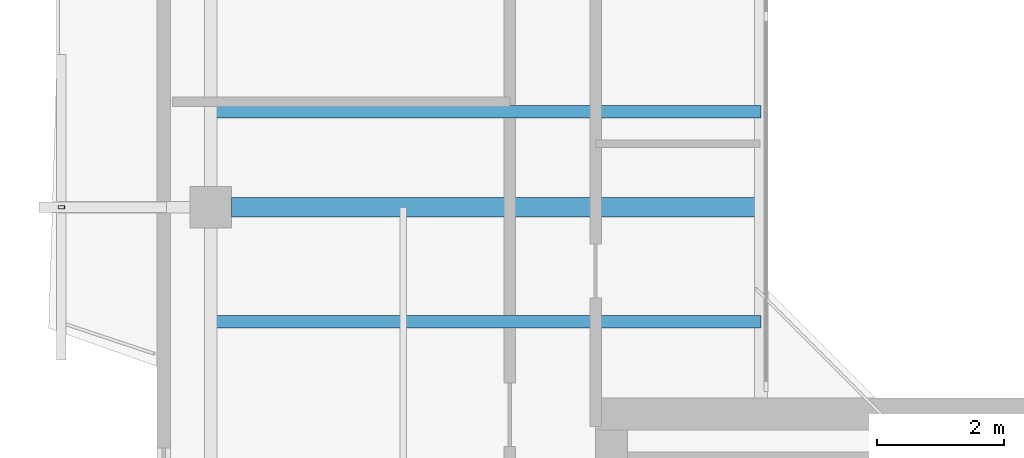
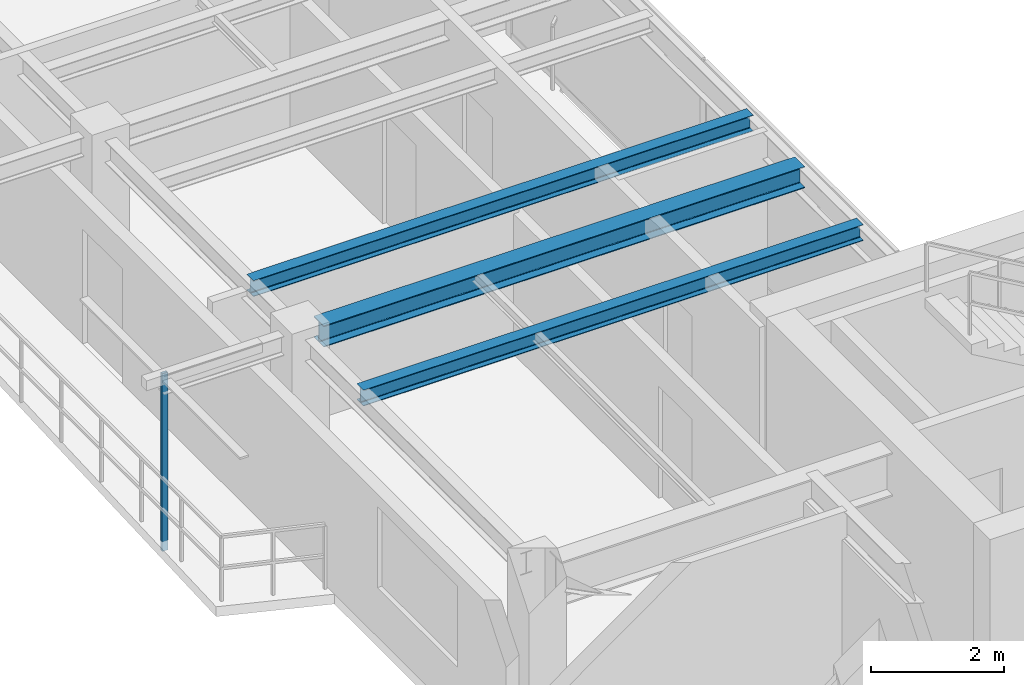
# One storey, part 2 of 14: 3 beams, 1 member.
"""IFC4 building model written with IfcOpenShell, lengths in metres."""

from ifc_helpers import new_model, si_unit, direction, frame, origin, origin_2d, place, context, subcontext, project, spatial, hollow_rectangle, i_section, extrude, source, transform, mapped, material, material_profile, profile_set, type_object, element, save


model = new_model("IFC4")

# Units and contexts
model_context = context("Model", 3, precision=1e-05, world=origin(), true_north=direction((0.0, 1.0)))
body_context = subcontext(model_context, "Body", "Model", "MODEL_VIEW")
ifc_project = project(units=[si_unit("LENGTHUNIT", "METRE"), si_unit("AREAUNIT", "SQUARE_METRE"), si_unit("VOLUMEUNIT", "CUBIC_METRE"), si_unit("PLANEANGLEUNIT", "RADIAN"), si_unit("MASSUNIT", "GRAM", prefix="KILO"), si_unit("THERMODYNAMICTEMPERATUREUNIT", "KELVIN"), si_unit("POWERUNIT", "WATT")], contexts=[model_context])

# Site, building, storey
site_placement = place(None, origin())
site = spatial("IfcSite", under=ifc_project, at=site_placement, CompositionType="ELEMENT")
building_placement = place(site_placement, origin())
building = spatial("IfcBuilding", under=site, at=building_placement, Name="Qiaomeng Ring Towers", CompositionType="ELEMENT")
storey_placement = place(building_placement, frame((0.0, 0.0, 243.75)))
storey = spatial("IfcBuildingStorey", under=building, at=storey_placement, Name="L71", CompositionType="ELEMENT", Elevation=243.75)

# Beams
ifc_material_1 = material(Name="Steel Q355B", Category="steel")
ifc_material_profile_1 = material_profile(ifc_material_1, i_section(OverallWidth=0.300048828125, OverallDepth=0.389892578125, WebThickness=0.010009765625, FlangeThickness=0.01611328125, FilletRadius=0.02197265625, at=origin_2d()), Name="HM 390x300x10x16")
ifc_profile_set_1 = profile_set([ifc_material_profile_1], Name="Steel Q355B")
beam_type_1 = type_object("IfcBeamType", Name="STR-BM-HM390", PredefinedType="BEAM", material=ifc_profile_set_1)
shared_shape_1 = source(origin(), body_context, "Body", "SweptSolid", [
    extrude(i_section(OverallWidth=0.300048828125, OverallDepth=0.389892578125, WebThickness=0.010009765625, FlangeThickness=0.01611328125, FilletRadius=0.02197265625, at=origin_2d()), origin(), (0.0, 0.0, 1.0), 8.325927734375),
])
beam_placement = place(storey_placement, frame((4.47412109375, 20.0, 2.875), z_axis=(1.0, 0.0, 0.0), x_axis=(0.0, 1.0, 0.0)))
element("IfcBeam", 1, at=beam_placement, inside=storey, type_object=beam_type_1, Name="L71 beam STR-BM-L71-T1-RAD-W2", PredefinedType="BEAM", context=body_context, shape_type="MappedRepresentation", body=[
    mapped(shared_shape_1, transform((0.0, 0.0, 0.0), x_axis=(1.0, 0.0, 0.0), y_axis=(0.0, 1.0, 0.0), z_axis=(0.0, 0.0, 1.0), scale=1.0)),
])
ifc_material_profile_2 = material_profile(ifc_material_1, i_section(OverallWidth=0.199951171875, OverallDepth=0.2939453125, WebThickness=0.008056640625, FlangeThickness=0.011962890625, FilletRadius=0.01806640625, at=origin_2d()), Name="HM 294x200x8x12")
ifc_profile_set_2 = profile_set([ifc_material_profile_2], Name="Steel Q355B")
beam_type_2 = type_object("IfcBeamType", Name="STR-BM-HM294", PredefinedType="JOIST", material=ifc_profile_set_2)
shared_shape_2 = source(origin(), body_context, "Body", "SweptSolid", [
    extrude(i_section(OverallWidth=0.199951171875, OverallDepth=0.2939453125, WebThickness=0.008056640625, FlangeThickness=0.011962890625, FilletRadius=0.01806640625, at=origin_2d()), origin(), (0.0, 0.0, 1.0), 8.650146484375),
])
for number, where, z_axis, x_axis, name in (
    (2, (4.14990234375, 18.199951171875, 2.923095703125), (1.0, 0.0, 0.0), (0.0, 1.0, 0.0), "L71 beam STR-JST-L71-T1W-1"),
    (3, (4.14990234375, 21.5, 2.923095703125), (1.0, 0.0, 0.0), (0.0, 1.0, 0.0), "L71 beam STR-JST-L71-T1W-2"),
):
    element("IfcBeam", number, at=place(storey_placement, frame(where, z_axis=z_axis, x_axis=x_axis)), inside=storey, type_object=beam_type_2, Name=name, PredefinedType="JOIST", context=body_context, shape_type="MappedRepresentation", body=[
        mapped(shared_shape_2, transform((0.0, 0.0, 0.0), x_axis=(1.0, 0.0, 0.0), y_axis=(0.0, 1.0, 0.0), z_axis=(0.0, 0.0, 1.0), scale=1.0)),
    ])

# Member
ifc_material_2 = material(Name="Stainless steel 316", Category="steel")
ifc_material_profile_3 = material_profile(ifc_material_2, hollow_rectangle(XDim=0.050048828125, YDim=0.10009765625, WallThickness=0.00390625, at=origin_2d()), Name="SS TRELLIS 100x50")
ifc_profile_set_3 = profile_set([ifc_material_profile_3], Name="Stainless steel 316")
member_type = type_object("IfcMemberType", Name="ARC-TR-POST2", PredefinedType="STUD", material=ifc_profile_set_3)
shared_shape_3 = source(origin(), body_context, "Body", "SweptSolid", [
    extrude(hollow_rectangle(XDim=0.050048828125, YDim=0.10009765625, WallThickness=0.00390625, at=origin_2d()), origin(), (0.0, 0.0, 1.0), 3.25),
])
member_placement = place(storey_placement, frame((1.800048828125, 20.0, -0.179931640625), z_axis=(0.0, 0.0, 1.0), x_axis=(0.0, 1.0, 0.0)))
element("IfcMember", 4, at=member_placement, inside=storey, type_object=member_type, Name="L71 Outer Ventilated Trellis Post W", PredefinedType="STUD", context=body_context, shape_type="MappedRepresentation", body=[
    mapped(shared_shape_3, transform((0.0, 0.0, 0.0), x_axis=(1.0, 0.0, 0.0), y_axis=(0.0, 1.0, 0.0), z_axis=(0.0, 0.0, 1.0), scale=1.0)),
])

save(model, "model.ifc")
